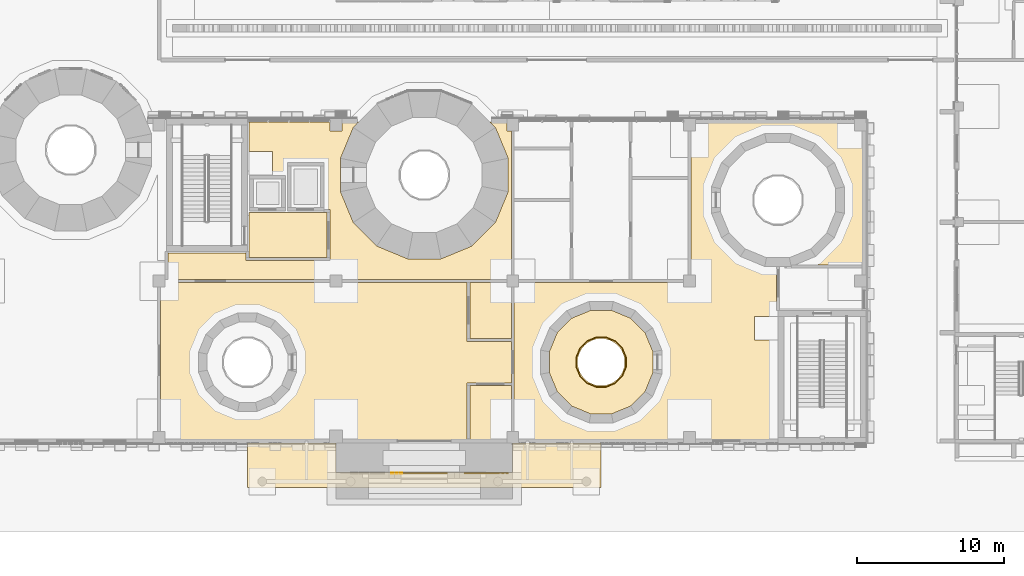
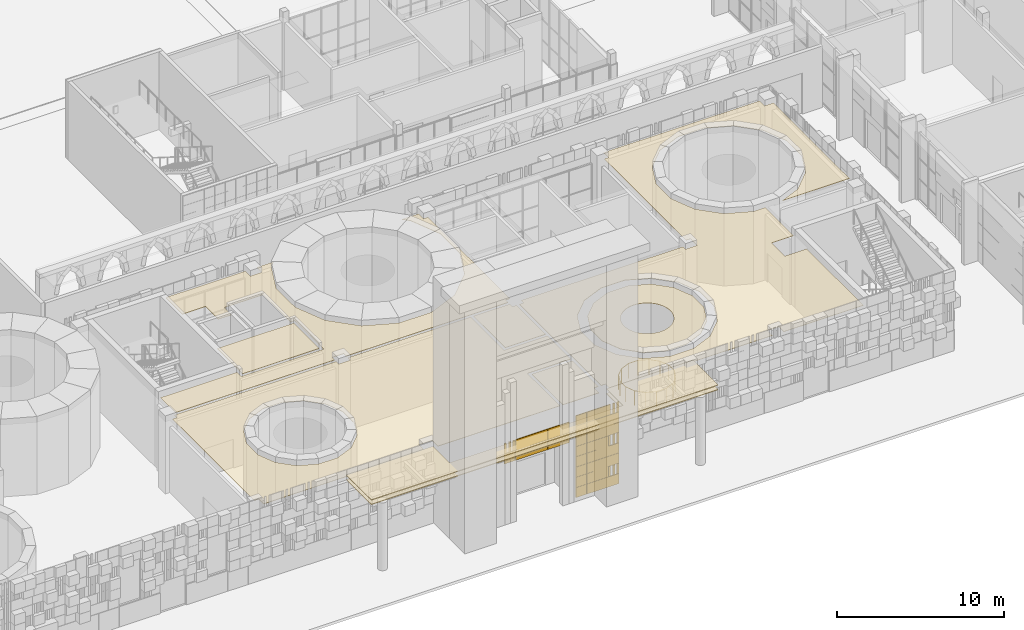
# One storey, part 81 of 125: 13 coverings, 1 railing.
"""IFC4 building model written with IfcOpenShell, lengths in metres."""

from ifc_helpers import new_model, si_unit, direction, frame, origin, origin_2d, place, context, subcontext, project, spatial, polyline, rectangle, circle, outline, extrude, material, layer, layer_set, type_object, element, save


model = new_model("IFC4")

# Units and contexts
model_context = context("Model", 3, precision=1e-05, world=origin(), true_north=direction((0.0, 1.0)))
body_context = subcontext(model_context, "Body", "Model", "MODEL_VIEW")
ifc_project = project(units=[si_unit("LENGTHUNIT", "METRE"), si_unit("AREAUNIT", "SQUARE_METRE"), si_unit("VOLUMEUNIT", "CUBIC_METRE"), si_unit("PLANEANGLEUNIT", "RADIAN"), si_unit("MASSUNIT", "GRAM", prefix="KILO")], contexts=[model_context])

# Site, building, storey
site_placement = place(None, origin())
site = spatial("IfcSite", under=ifc_project, at=site_placement, CompositionType="ELEMENT")
building_placement = place(site_placement, origin())
building = spatial("IfcBuilding", under=site, at=building_placement, Name="Sun Court Science Centre", CompositionType="ELEMENT")
storey_placement = place(building_placement, origin())
storey = spatial("IfcBuildingStorey", under=building, at=storey_placement, Name="L00", CompositionType="ELEMENT", Elevation=0.0)

# Coverings
ifc_material_1 = material(Name="Timber veneer", Category="wood")
ifc_layer_1 = layer(ifc_material_1, 0.050048828125)
ifc_layer_set_1 = layer_set([ifc_layer_1], Name="Timber veneer")
covering_type_1 = type_object("IfcCoveringType", Name="Canopy soffit lining 50", PredefinedType="CEILING", material=ifc_layer_set_1)
covering_1_placement = place(storey_placement, frame((0.0, 0.0, 5.199951171875)))
element("IfcCovering", 1, at=covering_1_placement, inside=storey, type_object=covering_type_1, Name="Entrance canopy soffit lining", PredefinedType="CEILING", context=body_context, shape_type="SweptSolid", body=[
    extrude(outline(polyline([(54.0, 6.0), (48.0, 6.0), (48.0, 4.0), (36.0, 4.0), (36.0, 6.0), (30.0, 6.0), (30.0, 3.0), (54.0, 3.0), (54.0, 6.0)])), origin(), (0.0, 0.0, 1.0), 0.050048828125),
])
ifc_material_2 = material(Name="Gypsum board")
ifc_layer_2 = layer(ifc_material_2, 0.030029296875)
ifc_layer_set_2 = layer_set([ifc_layer_2], Name="Gypsum board")
covering_type_2 = type_object("IfcCoveringType", Name="Ceiling suspended 600 module", PredefinedType="CEILING", material=ifc_layer_set_2)
covering_2_placement = place(storey_placement, frame((0.0, 0.0, 5.27001953125)))
element("IfcCovering", 2, at=covering_2_placement, inside=storey, type_object=covering_type_2, Name="L00-005 ceiling", PredefinedType="CEILING", context=body_context, shape_type="SweptSolid", body=[
    extrude(outline(polyline([(56.9833984375, 9.506591796875), (55.993408203125, 8.5166015625), (54.699951171875, 7.980712890625), (53.300048828125, 7.980712890625), (52.006591796875, 8.5166015625), (51.0166015625, 9.506591796875), (50.480712890625, 10.800048828125), (50.480712890625, 12.199951171875), (51.0166015625, 13.493408203125), (52.006591796875, 14.4833984375), (53.300048828125, 15.019287109375), (54.699951171875, 15.019287109375), (55.993408203125, 14.4833984375), (56.9833984375, 13.493408203125), (57.519287109375, 12.199951171875), (57.519287109375, 10.800048828125), (56.9833984375, 9.506591796875)]), holes=[polyline([(55.478271484375, 12.1123046875), (55.385498046875, 12.300048828125), (55.269287109375, 12.47412109375), (55.13134765625, 12.63134765625), (54.97412109375, 12.769287109375), (54.800048828125, 12.885498046875), (54.6123046875, 12.978271484375), (54.4140625, 13.04541015625), (54.208740234375, 13.086181640625), (54.0, 13.10009765625), (53.791259765625, 13.086181640625), (53.5859375, 13.04541015625), (53.3876953125, 12.978271484375), (53.199951171875, 12.885498046875), (53.02587890625, 12.769287109375), (52.86865234375, 12.63134765625), (52.730712890625, 12.47412109375), (52.614501953125, 12.300048828125), (52.521728515625, 12.1123046875), (52.45458984375, 11.9140625), (52.413818359375, 11.708740234375), (52.39990234375, 11.5), (52.413818359375, 11.291259765625), (52.45458984375, 11.0859375), (52.521728515625, 10.8876953125), (52.614501953125, 10.699951171875), (52.730712890625, 10.52587890625), (52.86865234375, 10.36865234375), (53.02587890625, 10.230712890625), (53.199951171875, 10.114501953125), (53.3876953125, 10.021728515625), (53.5859375, 9.95458984375), (53.791259765625, 9.913818359375), (54.0, 9.89990234375), (54.208740234375, 9.913818359375), (54.4140625, 9.95458984375), (54.6123046875, 10.021728515625), (54.800048828125, 10.114501953125), (54.97412109375, 10.230712890625), (55.13134765625, 10.36865234375), (55.269287109375, 10.52587890625), (55.385498046875, 10.699951171875), (55.478271484375, 10.8876953125), (55.54541015625, 11.0859375), (55.586181640625, 11.291259765625), (55.60009765625, 11.5), (55.586181640625, 11.708740234375), (55.54541015625, 11.9140625), (55.478271484375, 12.1123046875)])]), origin(), (0.0, 0.0, 1.0), 0.030029296875),
])
covering_3_placement = place(storey_placement, frame((0.0, 0.0, 5.27001953125)))
element("IfcCovering", 3, at=covering_3_placement, inside=storey, type_object=covering_type_2, Name="L00-015 ceiling", PredefinedType="CEILING", context=body_context, shape_type="SweptSolid", body=[
    extrude(outline(polyline([(45.10009765625, 6.199951171875), (45.10009765625, 9.89990234375), (47.89990234375, 9.89990234375), (47.89990234375, 6.800048828125), (47.60009765625, 6.800048828125), (47.60009765625, 6.199951171875), (45.10009765625, 6.199951171875)])), origin(), (0.0, 0.0, 1.0), 0.030029296875),
])
covering_4_placement = place(storey_placement, frame((0.0, 0.0, 5.27001953125)))
element("IfcCovering", 4, at=covering_4_placement, inside=storey, type_object=covering_type_2, Name="L00-016 ceiling", PredefinedType="CEILING", context=body_context, shape_type="SweptSolid", body=[
    extrude(outline(polyline([(45.10009765625, 13.10009765625), (45.10009765625, 16.89990234375), (47.60009765625, 16.89990234375), (47.60009765625, 16.60009765625), (47.89990234375, 16.60009765625), (47.89990234375, 13.10009765625), (45.10009765625, 13.10009765625)])), origin(), (0.0, 0.0, 1.0), 0.030029296875),
])
covering_5_placement = place(storey_placement, frame((0.0, 0.0, 5.27001953125)))
element("IfcCovering", 5, at=covering_5_placement, inside=storey, type_object=covering_type_2, Name="L00-017 ceiling", PredefinedType="CEILING", context=body_context, shape_type="SweptSolid", body=[
    extrude(outline(polyline([(24.10009765625, 16.60009765625), (24.39990234375, 16.60009765625), (24.39990234375, 16.89990234375), (35.60009765625, 16.89990234375), (35.60009765625, 16.60009765625), (36.39990234375, 16.60009765625), (36.39990234375, 16.89990234375), (44.89990234375, 16.89990234375), (44.89990234375, 12.89990234375), (47.89990234375, 12.89990234375), (47.89990234375, 10.10009765625), (44.89990234375, 10.10009765625), (44.89990234375, 6.199951171875), (36.449951171875, 6.199951171875), (36.449951171875, 6.89990234375), (35.550048828125, 6.89990234375), (35.550048828125, 6.199951171875), (24.39990234375, 6.199951171875), (24.39990234375, 6.800048828125), (24.10009765625, 6.800048828125), (24.10009765625, 16.60009765625)]), holes=[polyline([(31.888916015625, 14.326904296875), (30.663330078125, 14.834716796875), (29.336669921875, 14.834716796875), (28.111083984375, 14.326904296875), (27.173095703125, 13.388916015625), (26.665283203125, 12.163330078125), (26.665283203125, 10.836669921875), (27.173095703125, 9.611083984375), (28.111083984375, 8.673095703125), (29.336669921875, 8.165283203125), (30.663330078125, 8.165283203125), (31.888916015625, 8.673095703125), (32.826904296875, 9.611083984375), (33.334716796875, 10.836669921875), (33.334716796875, 12.163330078125), (32.826904296875, 13.388916015625), (31.888916015625, 14.326904296875)])]), origin(), (0.0, 0.0, 1.0), 0.030029296875),
])
covering_6_placement = place(storey_placement, frame((0.0, 0.0, 5.27001953125)))
element("IfcCovering", 6, at=covering_6_placement, inside=storey, type_object=covering_type_2, Name="L00-018 ceiling", PredefinedType="CEILING", context=body_context, shape_type="SweptSolid", body=[
    extrude(outline(polyline([(30.10009765625, 18.60009765625), (30.10009765625, 21.6474609375), (32.672607421875, 21.6474609375), (32.672607421875, 21.64990234375), (35.39990234375, 21.64990234375), (35.39990234375, 18.60009765625), (30.10009765625, 18.60009765625)])), origin(), (0.0, 0.0, 1.0), 0.030029296875),
])
covering_7_placement = place(storey_placement, frame((0.0, 0.0, 5.27001953125)))
element("IfcCovering", 7, at=covering_7_placement, inside=storey, type_object=covering_type_2, Name="L00-019 ceiling", PredefinedType="CEILING", context=body_context, shape_type="SweptSolid", body=[
    extrude(outline(polyline([(37.55517578125, 27.800048828125), (37.177490234375, 27.42236328125), (36.311279296875, 25.33154296875), (36.311279296875, 23.068603515625), (37.177490234375, 20.977783203125), (38.777587890625, 19.37744140625), (40.868408203125, 18.511474609375), (43.131591796875, 18.511474609375), (45.222412109375, 19.37744140625), (46.822509765625, 20.977783203125), (47.688720703125, 23.068603515625), (47.688720703125, 25.33154296875), (46.822509765625, 27.42236328125), (46.44482421875, 27.800048828125), (47.60009765625, 27.800048828125), (47.60009765625, 27.199951171875), (47.89990234375, 27.199951171875), (47.89990234375, 17.39990234375), (47.60009765625, 17.39990234375), (47.60009765625, 17.10009765625), (36.39990234375, 17.10009765625), (36.39990234375, 17.39990234375), (35.60009765625, 17.39990234375), (35.60009765625, 17.10009765625), (24.60009765625, 17.10009765625), (24.60009765625, 18.89990234375), (29.89990234375, 18.89990234375), (29.89990234375, 18.39990234375), (35.60009765625, 18.39990234375), (35.60009765625, 21.85009765625), (35.300048828125, 21.85009765625), (35.300048828125, 25.14990234375), (32.60009765625, 25.14990234375), (32.60009765625, 24.2724609375), (31.699951171875, 24.2724609375), (31.699951171875, 25.800048828125), (30.10009765625, 25.800048828125), (30.10009765625, 27.800048828125), (35.60009765625, 27.800048828125), (35.60009765625, 27.199951171875), (36.39990234375, 27.199951171875), (36.39990234375, 27.800048828125), (37.55517578125, 27.800048828125)])), origin(), (0.0, 0.0, 1.0), 0.030029296875),
])
covering_8_placement = place(storey_placement, frame((0.0, 0.0, 5.27001953125)))
element("IfcCovering", 8, at=covering_8_placement, inside=storey, type_object=covering_type_2, Name="L00-026 ceiling", PredefinedType="CEILING", context=body_context, shape_type="SweptSolid", body=[
    extrude(outline(polyline([(71.800048828125, 18.10009765625), (67.1669921875, 18.10009765625), (68.5556640625, 18.67529296875), (69.82470703125, 19.9443359375), (70.51171875, 21.6025390625), (70.51171875, 23.3974609375), (69.82470703125, 25.0556640625), (68.5556640625, 26.32470703125), (66.8974609375, 27.01171875), (65.1025390625, 27.01171875), (63.4443359375, 26.32470703125), (62.17529296875, 25.0556640625), (61.48828125, 23.3974609375), (61.48828125, 21.6025390625), (62.17529296875, 19.9443359375), (63.4443359375, 18.67529296875), (65.1025390625, 17.98828125), (65.89990234375, 17.98828125), (65.89990234375, 14.60009765625), (64.39990234375, 14.60009765625), (64.39990234375, 13.0), (65.89990234375, 13.0), (65.89990234375, 6.199951171875), (60.39990234375, 6.199951171875), (60.39990234375, 6.800048828125), (59.60009765625, 6.800048828125), (59.60009765625, 6.199951171875), (48.39990234375, 6.199951171875), (48.39990234375, 6.800048828125), (48.10009765625, 6.800048828125), (48.10009765625, 16.60009765625), (48.39990234375, 16.60009765625), (48.39990234375, 16.89990234375), (59.60009765625, 16.89990234375), (59.60009765625, 16.60009765625), (60.39990234375, 16.60009765625), (60.39990234375, 17.39990234375), (60.10009765625, 17.39990234375), (60.10009765625, 27.199951171875), (60.39990234375, 27.199951171875), (60.39990234375, 27.800048828125), (71.199951171875, 27.800048828125), (71.199951171875, 27.199951171875), (71.800048828125, 27.199951171875), (71.800048828125, 18.10009765625)]), holes=[polyline([(56.33349609375, 14.9921875), (54.8193359375, 15.619384765625), (53.1806640625, 15.619384765625), (51.66650390625, 14.9921875), (50.5078125, 13.83349609375), (49.880615234375, 12.3193359375), (49.880615234375, 10.6806640625), (50.5078125, 9.16650390625), (51.66650390625, 8.0078125), (53.1806640625, 7.380615234375), (54.8193359375, 7.380615234375), (56.33349609375, 8.0078125), (57.4921875, 9.16650390625), (58.119384765625, 10.6806640625), (58.119384765625, 12.3193359375), (57.4921875, 13.83349609375), (56.33349609375, 14.9921875)])]), origin(), (0.0, 0.0, 1.0), 0.030029296875),
])

# Railing
ifc_material_3 = material(Name="Steel S275", Category="steel")
railing_type = type_object("IfcRailingType", Name="Guard 1100 well balustrade", PredefinedType="GUARDRAIL", material=ifc_material_3)
railing_placement = place(storey_placement, frame((55.68701171875, 11.83544921875, 0.0)))
element("IfcRailing", 9, at=railing_placement, inside=storey, type_object=railing_type, Name="C5 well guard L00", PredefinedType="GUARDRAIL", context=body_context, shape_type="SweptSolid", body=[
    extrude(circle(Radius=0.02392578125, at=origin_2d()), frame((0.0, 0.0, 1.076171875), z_axis=(-0.382651625058, 0.923892706888, 0.0), x_axis=(-0.923892706888, -0.382651625058, 0.0)), (0.0, 0.0, 1.0), 0.671142578125),
    extrude(circle(Radius=0.02392578125, at=origin_2d()), frame((-0.2568359375, 0.6201171875, 1.076171875), z_axis=(-0.707106781187, 0.707106781187, 0.0), x_axis=(-0.707106781187, -0.707106781187, 0.0)), (0.0, 0.0, 1.0), 0.671142578125),
    extrude(circle(Radius=0.02392578125, at=origin_2d()), frame((-0.7314453125, 1.0947265625, 1.076171875), z_axis=(-0.923892706888, 0.382651625058, 0.0), x_axis=(-0.382651625058, -0.923892706888, 0.0)), (0.0, 0.0, 1.0), 0.671142578125),
    extrude(circle(Radius=0.02392578125, at=origin_2d()), frame((-1.3515625, 1.3515625, 1.076171875), z_axis=(-1.0, 0.0, 0.0), x_axis=(0.0, -1.0, 0.0)), (0.0, 0.0, 1.0), 0.6708984375),
    extrude(circle(Radius=0.02392578125, at=origin_2d()), frame((-2.0224609375, 1.3515625, 1.076171875), z_axis=(-0.923892706888, -0.382651625058, 0.0), x_axis=(0.382651625058, -0.923892706888, 0.0)), (0.0, 0.0, 1.0), 0.671142578125),
    extrude(circle(Radius=0.02392578125, at=origin_2d()), frame((-2.642578125, 1.0947265625, 1.076171875), z_axis=(-0.707106781187, -0.707106781187, 0.0), x_axis=(0.707106781187, -0.707106781187, 0.0)), (0.0, 0.0, 1.0), 0.671142578125),
    extrude(circle(Radius=0.02392578125, at=origin_2d()), frame((-3.1171875, 0.6201171875, 1.076171875), z_axis=(-0.382651625058, -0.923892706888, 0.0), x_axis=(0.923892706888, -0.382651625058, 0.0)), (0.0, 0.0, 1.0), 0.671142578125),
    extrude(circle(Radius=0.02392578125, at=origin_2d()), frame((-3.3740234375, 0.0, 1.076171875), z_axis=(0.0, -1.0, 0.0), x_axis=(1.0, 0.0, 0.0)), (0.0, 0.0, 1.0), 0.6708984375),
    extrude(circle(Radius=0.02392578125, at=origin_2d()), frame((-3.3740234375, -0.6708984375, 1.076171875), z_axis=(0.382651625058, -0.923892706888, 0.0), x_axis=(0.923892706888, 0.382651625058, 0.0)), (0.0, 0.0, 1.0), 0.671142578125),
    extrude(circle(Radius=0.02392578125, at=origin_2d()), frame((-3.1171875, -1.291015625, 1.076171875), z_axis=(0.707106781187, -0.707106781187, 0.0), x_axis=(0.707106781187, 0.707106781187, 0.0)), (0.0, 0.0, 1.0), 0.671142578125),
    extrude(circle(Radius=0.02392578125, at=origin_2d()), frame((-2.642578125, -1.765625, 1.076171875), z_axis=(0.923892706888, -0.382651625058, 0.0), x_axis=(0.382651625058, 0.923892706888, 0.0)), (0.0, 0.0, 1.0), 0.671142578125),
    extrude(circle(Radius=0.02392578125, at=origin_2d()), frame((-2.0224609375, -2.0224609375, 1.076171875), z_axis=(1.0, 0.0, 0.0), x_axis=(0.0, 1.0, 0.0)), (0.0, 0.0, 1.0), 0.6708984375),
    extrude(circle(Radius=0.02392578125, at=origin_2d()), frame((-1.3515625, -2.0224609375, 1.076171875), z_axis=(0.923892706888, 0.382651625058, 0.0), x_axis=(-0.382651625058, 0.923892706888, 0.0)), (0.0, 0.0, 1.0), 0.671142578125),
    extrude(circle(Radius=0.02392578125, at=origin_2d()), frame((-0.7314453125, -1.765625, 1.076171875), z_axis=(0.707106781187, 0.707106781187, 0.0), x_axis=(-0.707106781187, 0.707106781187, 0.0)), (0.0, 0.0, 1.0), 0.671142578125),
    extrude(circle(Radius=0.02392578125, at=origin_2d()), frame((-0.2568359375, -1.291015625, 1.076171875), z_axis=(0.382651625058, 0.923892706888, 0.0), x_axis=(-0.923892706888, 0.382651625058, 0.0)), (0.0, 0.0, 1.0), 0.671142578125),
    extrude(circle(Radius=0.02392578125, at=origin_2d()), frame((0.0, -0.6708984375, 1.076171875), z_axis=(0.0, 1.0, 0.0), x_axis=(-1.0, 0.0, 0.0)), (0.0, 0.0, 1.0), 0.6708984375),
    extrude(circle(Radius=0.02099609375, at=origin_2d()), origin(), (0.0, 0.0, 1.0), 1.052001953125),
    extrude(circle(Radius=0.02099609375, at=origin_2d()), frame((-0.2568359375, 0.6201171875, 0.0)), (0.0, 0.0, 1.0), 1.052001953125),
    extrude(circle(Radius=0.02099609375, at=origin_2d()), frame((-0.7314453125, 1.0947265625, 0.0)), (0.0, 0.0, 1.0), 1.052001953125),
    extrude(circle(Radius=0.02099609375, at=origin_2d()), frame((-1.3515625, 1.3515625, 0.0)), (0.0, 0.0, 1.0), 1.052001953125),
    extrude(circle(Radius=0.02099609375, at=origin_2d()), frame((-2.0224609375, 1.3515625, 0.0)), (0.0, 0.0, 1.0), 1.052001953125),
    extrude(circle(Radius=0.02099609375, at=origin_2d()), frame((-2.642578125, 1.0947265625, 0.0)), (0.0, 0.0, 1.0), 1.052001953125),
    extrude(circle(Radius=0.02099609375, at=origin_2d()), frame((-3.1171875, 0.6201171875, 0.0)), (0.0, 0.0, 1.0), 1.052001953125),
    extrude(circle(Radius=0.02099609375, at=origin_2d()), frame((-3.3740234375, 0.0, 0.0)), (0.0, 0.0, 1.0), 1.052001953125),
    extrude(circle(Radius=0.02099609375, at=origin_2d()), frame((-3.3740234375, -0.6708984375, 0.0)), (0.0, 0.0, 1.0), 1.052001953125),
    extrude(circle(Radius=0.02099609375, at=origin_2d()), frame((-3.1171875, -1.291015625, 0.0)), (0.0, 0.0, 1.0), 1.052001953125),
    extrude(circle(Radius=0.02099609375, at=origin_2d()), frame((-2.642578125, -1.765625, 0.0)), (0.0, 0.0, 1.0), 1.052001953125),
    extrude(circle(Radius=0.02099609375, at=origin_2d()), frame((-2.0224609375, -2.0224609375, 0.0)), (0.0, 0.0, 1.0), 1.052001953125),
    extrude(circle(Radius=0.02099609375, at=origin_2d()), frame((-1.3515625, -2.0224609375, 0.0)), (0.0, 0.0, 1.0), 1.052001953125),
    extrude(circle(Radius=0.02099609375, at=origin_2d()), frame((-0.7314453125, -1.765625, 0.0)), (0.0, 0.0, 1.0), 1.052001953125),
    extrude(circle(Radius=0.02099609375, at=origin_2d()), frame((-0.2568359375, -1.291015625, 0.0)), (0.0, 0.0, 1.0), 1.052001953125),
    extrude(circle(Radius=0.02099609375, at=origin_2d()), frame((0.0, -0.6708984375, 0.0)), (0.0, 0.0, 1.0), 1.052001953125),
])

# Coverings
ifc_material_4 = material(Name="Red sandstone", Category="masonry")
ifc_layer_3 = layer(ifc_material_4, 0.06005859375)
ifc_layer_set_3 = layer_set([ifc_layer_3], Name="Red sandstone")
covering_type_3 = type_object("IfcCoveringType", Name="Red sandstone jali relief 750", PredefinedType="CLADDING", material=ifc_layer_set_3)
covering_9_placement = place(storey_placement, origin())
element("IfcCovering", 10, at=covering_9_placement, inside=storey, type_object=covering_type_3, Name="Red sandstone jali relief portal-PORTAL-R L00", PredefinedType="CLADDING", context=body_context, shape_type="SweptSolid", body=[
    extrude(rectangle(XDim=0.139892578125, YDim=0.06005859375, at=origin_2d()), frame((47.625, 3.969970703125, 0.7548828125), z_axis=(0.0, 0.0, 1.0), x_axis=(-1.0, 0.0, 0.0)), (0.0, 0.0, 1.0), 0.739990234375),
    extrude(rectangle(XDim=0.139892578125, YDim=0.06005859375, at=origin_2d()), frame((47.324951171875, 3.969970703125, 0.7548828125), z_axis=(0.0, 0.0, 1.0), x_axis=(-1.0, 0.0, 0.0)), (0.0, 0.0, 1.0), 0.739990234375),
    extrude(rectangle(XDim=0.139892578125, YDim=0.06005859375, at=origin_2d()), frame((47.02490234375, 3.969970703125, 0.7548828125), z_axis=(0.0, 0.0, 1.0), x_axis=(-1.0, 0.0, 0.0)), (0.0, 0.0, 1.0), 0.739990234375),
    extrude(rectangle(XDim=0.139892578125, YDim=0.06005859375, at=origin_2d()), frame((47.625, 3.969970703125, 3.0048828125), z_axis=(0.0, 0.0, 1.0), x_axis=(-1.0, 0.0, 0.0)), (0.0, 0.0, 1.0), 0.739990234375),
    extrude(rectangle(XDim=0.139892578125, YDim=0.06005859375, at=origin_2d()), frame((47.324951171875, 3.969970703125, 3.0048828125), z_axis=(0.0, 0.0, 1.0), x_axis=(-1.0, 0.0, 0.0)), (0.0, 0.0, 1.0), 0.739990234375),
    extrude(rectangle(XDim=0.139892578125, YDim=0.06005859375, at=origin_2d()), frame((47.02490234375, 3.969970703125, 3.0048828125), z_axis=(0.0, 0.0, 1.0), x_axis=(-1.0, 0.0, 0.0)), (0.0, 0.0, 1.0), 0.739990234375),
    extrude(rectangle(XDim=0.139892578125, YDim=0.06005859375, at=origin_2d()), frame((47.625, 3.969970703125, 5.2548828125), z_axis=(0.0, 0.0, 1.0), x_axis=(-1.0, 0.0, 0.0)), (0.0, 0.0, 1.0), 0.739990234375),
    extrude(rectangle(XDim=0.139892578125, YDim=0.06005859375, at=origin_2d()), frame((47.324951171875, 3.969970703125, 5.2548828125), z_axis=(0.0, 0.0, 1.0), x_axis=(-1.0, 0.0, 0.0)), (0.0, 0.0, 1.0), 0.739990234375),
    extrude(rectangle(XDim=0.139892578125, YDim=0.06005859375, at=origin_2d()), frame((47.02490234375, 3.969970703125, 5.2548828125), z_axis=(0.0, 0.0, 1.0), x_axis=(-1.0, 0.0, 0.0)), (0.0, 0.0, 1.0), 0.739990234375),
    extrude(rectangle(XDim=0.739990234375, YDim=0.06005859375, at=origin_2d()), frame((46.574951171875, 3.969970703125, 5.2548828125), z_axis=(0.0, 0.0, 1.0), x_axis=(-1.0, 0.0, 0.0)), (0.0, 0.0, 1.0), 0.739990234375),
    extrude(rectangle(XDim=0.739990234375, YDim=0.06005859375, at=origin_2d()), frame((45.824951171875, 3.969970703125, 5.2548828125), z_axis=(0.0, 0.0, 1.0), x_axis=(-1.0, 0.0, 0.0)), (0.0, 0.0, 1.0), 0.739990234375),
    extrude(rectangle(XDim=0.739990234375, YDim=0.06005859375, at=origin_2d()), frame((45.074951171875, 3.969970703125, 5.2548828125), z_axis=(0.0, 0.0, 1.0), x_axis=(-1.0, 0.0, 0.0)), (0.0, 0.0, 1.0), 0.739990234375),
])
covering_10_placement = place(storey_placement, origin())
element("IfcCovering", 11, at=covering_10_placement, inside=storey, type_object=covering_type_3, Name="Red sandstone jali relief portal-PORTAL-H L00", PredefinedType="CLADDING", context=body_context, shape_type="SweptSolid", body=[
    extrude(rectangle(XDim=0.139892578125, YDim=0.06005859375, at=origin_2d()), frame((40.425048828125, 3.969970703125, 4.955078125), z_axis=(0.0, 0.0, 1.0), x_axis=(-1.0, 0.0, 0.0)), (0.0, 0.0, 1.0), 0.739990234375),
    extrude(rectangle(XDim=0.139892578125, YDim=0.06005859375, at=origin_2d()), frame((40.125, 3.969970703125, 4.955078125), z_axis=(0.0, 0.0, 1.0), x_axis=(-1.0, 0.0, 0.0)), (0.0, 0.0, 1.0), 0.739990234375),
    extrude(rectangle(XDim=0.139892578125, YDim=0.06005859375, at=origin_2d()), frame((39.824951171875, 3.969970703125, 4.955078125), z_axis=(0.0, 0.0, 1.0), x_axis=(-1.0, 0.0, 0.0)), (0.0, 0.0, 1.0), 0.739990234375),
])
ifc_material_5 = material(Name="Red sandstone", Category="masonry")
ifc_layer_4 = layer(ifc_material_5, 0.06005859375)
ifc_layer_set_4 = layer_set([ifc_layer_4], Name="Red sandstone")
covering_type_4 = type_object("IfcCoveringType", Name="Red sandstone wall cladding 750", PredefinedType="CLADDING", material=ifc_layer_set_4)
covering_11_placement = place(storey_placement, origin())
element("IfcCovering", 12, at=covering_11_placement, inside=storey, type_object=covering_type_4, Name="Red sandstone wall cladding portal-PORTAL-R L00", PredefinedType="CLADDING", context=body_context, shape_type="SweptSolid", body=[
    extrude(rectangle(XDim=0.739990234375, YDim=0.06005859375, at=origin_2d()), frame((47.324951171875, 3.969970703125, 0.0048828125), z_axis=(0.0, 0.0, 1.0), x_axis=(-1.0, 0.0, 0.0)), (0.0, 0.0, 1.0), 0.739990234375),
    extrude(rectangle(XDim=0.739990234375, YDim=0.06005859375, at=origin_2d()), frame((46.574951171875, 3.969970703125, 0.0048828125), z_axis=(0.0, 0.0, 1.0), x_axis=(-1.0, 0.0, 0.0)), (0.0, 0.0, 1.0), 0.739990234375),
    extrude(rectangle(XDim=0.739990234375, YDim=0.06005859375, at=origin_2d()), frame((45.824951171875, 3.969970703125, 0.0048828125), z_axis=(0.0, 0.0, 1.0), x_axis=(-1.0, 0.0, 0.0)), (0.0, 0.0, 1.0), 0.739990234375),
    extrude(rectangle(XDim=0.739990234375, YDim=0.06005859375, at=origin_2d()), frame((45.074951171875, 3.969970703125, 0.0048828125), z_axis=(0.0, 0.0, 1.0), x_axis=(-1.0, 0.0, 0.0)), (0.0, 0.0, 1.0), 0.739990234375),
    extrude(rectangle(XDim=0.739990234375, YDim=0.06005859375, at=origin_2d()), frame((46.574951171875, 3.969970703125, 0.7548828125), z_axis=(0.0, 0.0, 1.0), x_axis=(-1.0, 0.0, 0.0)), (0.0, 0.0, 1.0), 0.739990234375),
    extrude(rectangle(XDim=0.739990234375, YDim=0.06005859375, at=origin_2d()), frame((45.824951171875, 3.969970703125, 0.7548828125), z_axis=(0.0, 0.0, 1.0), x_axis=(-1.0, 0.0, 0.0)), (0.0, 0.0, 1.0), 0.739990234375),
    extrude(rectangle(XDim=0.739990234375, YDim=0.06005859375, at=origin_2d()), frame((45.074951171875, 3.969970703125, 0.7548828125), z_axis=(0.0, 0.0, 1.0), x_axis=(-1.0, 0.0, 0.0)), (0.0, 0.0, 1.0), 0.739990234375),
    extrude(rectangle(XDim=0.739990234375, YDim=0.06005859375, at=origin_2d()), frame((47.324951171875, 3.969970703125, 1.5048828125), z_axis=(0.0, 0.0, 1.0), x_axis=(-1.0, 0.0, 0.0)), (0.0, 0.0, 1.0), 0.739990234375),
    extrude(rectangle(XDim=0.739990234375, YDim=0.06005859375, at=origin_2d()), frame((46.574951171875, 3.969970703125, 1.5048828125), z_axis=(0.0, 0.0, 1.0), x_axis=(-1.0, 0.0, 0.0)), (0.0, 0.0, 1.0), 0.739990234375),
    extrude(rectangle(XDim=0.739990234375, YDim=0.06005859375, at=origin_2d()), frame((45.824951171875, 3.969970703125, 1.5048828125), z_axis=(0.0, 0.0, 1.0), x_axis=(-1.0, 0.0, 0.0)), (0.0, 0.0, 1.0), 0.739990234375),
    extrude(rectangle(XDim=0.739990234375, YDim=0.06005859375, at=origin_2d()), frame((45.074951171875, 3.969970703125, 1.5048828125), z_axis=(0.0, 0.0, 1.0), x_axis=(-1.0, 0.0, 0.0)), (0.0, 0.0, 1.0), 0.739990234375),
    extrude(rectangle(XDim=0.739990234375, YDim=0.06005859375, at=origin_2d()), frame((47.324951171875, 3.969970703125, 2.2548828125), z_axis=(0.0, 0.0, 1.0), x_axis=(-1.0, 0.0, 0.0)), (0.0, 0.0, 1.0), 0.739990234375),
    extrude(rectangle(XDim=0.739990234375, YDim=0.06005859375, at=origin_2d()), frame((46.574951171875, 3.969970703125, 2.2548828125), z_axis=(0.0, 0.0, 1.0), x_axis=(-1.0, 0.0, 0.0)), (0.0, 0.0, 1.0), 0.739990234375),
    extrude(rectangle(XDim=0.739990234375, YDim=0.06005859375, at=origin_2d()), frame((45.824951171875, 3.969970703125, 2.2548828125), z_axis=(0.0, 0.0, 1.0), x_axis=(-1.0, 0.0, 0.0)), (0.0, 0.0, 1.0), 0.739990234375),
    extrude(rectangle(XDim=0.739990234375, YDim=0.06005859375, at=origin_2d()), frame((45.074951171875, 3.969970703125, 2.2548828125), z_axis=(0.0, 0.0, 1.0), x_axis=(-1.0, 0.0, 0.0)), (0.0, 0.0, 1.0), 0.739990234375),
    extrude(rectangle(XDim=0.739990234375, YDim=0.06005859375, at=origin_2d()), frame((46.574951171875, 3.969970703125, 3.0048828125), z_axis=(0.0, 0.0, 1.0), x_axis=(-1.0, 0.0, 0.0)), (0.0, 0.0, 1.0), 0.739990234375),
    extrude(rectangle(XDim=0.739990234375, YDim=0.06005859375, at=origin_2d()), frame((45.824951171875, 3.969970703125, 3.0048828125), z_axis=(0.0, 0.0, 1.0), x_axis=(-1.0, 0.0, 0.0)), (0.0, 0.0, 1.0), 0.739990234375),
    extrude(rectangle(XDim=0.739990234375, YDim=0.06005859375, at=origin_2d()), frame((45.074951171875, 3.969970703125, 3.0048828125), z_axis=(0.0, 0.0, 1.0), x_axis=(-1.0, 0.0, 0.0)), (0.0, 0.0, 1.0), 0.739990234375),
    extrude(rectangle(XDim=0.739990234375, YDim=0.06005859375, at=origin_2d()), frame((47.324951171875, 3.969970703125, 3.7548828125), z_axis=(0.0, 0.0, 1.0), x_axis=(-1.0, 0.0, 0.0)), (0.0, 0.0, 1.0), 0.739990234375),
    extrude(rectangle(XDim=0.739990234375, YDim=0.06005859375, at=origin_2d()), frame((46.574951171875, 3.969970703125, 3.7548828125), z_axis=(0.0, 0.0, 1.0), x_axis=(-1.0, 0.0, 0.0)), (0.0, 0.0, 1.0), 0.739990234375),
    extrude(rectangle(XDim=0.739990234375, YDim=0.06005859375, at=origin_2d()), frame((45.824951171875, 3.969970703125, 3.7548828125), z_axis=(0.0, 0.0, 1.0), x_axis=(-1.0, 0.0, 0.0)), (0.0, 0.0, 1.0), 0.739990234375),
    extrude(rectangle(XDim=0.739990234375, YDim=0.06005859375, at=origin_2d()), frame((45.074951171875, 3.969970703125, 3.7548828125), z_axis=(0.0, 0.0, 1.0), x_axis=(-1.0, 0.0, 0.0)), (0.0, 0.0, 1.0), 0.739990234375),
    extrude(rectangle(XDim=0.739990234375, YDim=0.06005859375, at=origin_2d()), frame((47.324951171875, 3.969970703125, 4.5048828125), z_axis=(0.0, 0.0, 1.0), x_axis=(-1.0, 0.0, 0.0)), (0.0, 0.0, 1.0), 0.739990234375),
    extrude(rectangle(XDim=0.739990234375, YDim=0.06005859375, at=origin_2d()), frame((46.574951171875, 3.969970703125, 4.5048828125), z_axis=(0.0, 0.0, 1.0), x_axis=(-1.0, 0.0, 0.0)), (0.0, 0.0, 1.0), 0.739990234375),
    extrude(rectangle(XDim=0.739990234375, YDim=0.06005859375, at=origin_2d()), frame((45.824951171875, 3.969970703125, 4.5048828125), z_axis=(0.0, 0.0, 1.0), x_axis=(-1.0, 0.0, 0.0)), (0.0, 0.0, 1.0), 0.739990234375),
    extrude(rectangle(XDim=0.739990234375, YDim=0.06005859375, at=origin_2d()), frame((45.074951171875, 3.969970703125, 4.5048828125), z_axis=(0.0, 0.0, 1.0), x_axis=(-1.0, 0.0, 0.0)), (0.0, 0.0, 1.0), 0.739990234375),
])
covering_12_placement = place(storey_placement, origin())
element("IfcCovering", 13, at=covering_12_placement, inside=storey, type_object=covering_type_4, Name="Red sandstone wall cladding portal-PORTAL-H L00", PredefinedType="CLADDING", context=body_context, shape_type="SweptSolid", body=[
    extrude(rectangle(XDim=0.739990234375, YDim=0.06005859375, at=origin_2d()), frame((43.875, 3.969970703125, 4.205078125), z_axis=(0.0, 0.0, 1.0), x_axis=(-1.0, 0.0, 0.0)), (0.0, 0.0, 1.0), 0.739990234375),
    extrude(rectangle(XDim=0.739990234375, YDim=0.06005859375, at=origin_2d()), frame((43.125, 3.969970703125, 4.205078125), z_axis=(0.0, 0.0, 1.0), x_axis=(-1.0, 0.0, 0.0)), (0.0, 0.0, 1.0), 0.739990234375),
    extrude(rectangle(XDim=0.739990234375, YDim=0.06005859375, at=origin_2d()), frame((42.375, 3.969970703125, 4.205078125), z_axis=(0.0, 0.0, 1.0), x_axis=(-1.0, 0.0, 0.0)), (0.0, 0.0, 1.0), 0.739990234375),
    extrude(rectangle(XDim=0.739990234375, YDim=0.06005859375, at=origin_2d()), frame((41.625, 3.969970703125, 4.205078125), z_axis=(0.0, 0.0, 1.0), x_axis=(-1.0, 0.0, 0.0)), (0.0, 0.0, 1.0), 0.739990234375),
    extrude(rectangle(XDim=0.739990234375, YDim=0.06005859375, at=origin_2d()), frame((40.875, 3.969970703125, 4.205078125), z_axis=(0.0, 0.0, 1.0), x_axis=(-1.0, 0.0, 0.0)), (0.0, 0.0, 1.0), 0.739990234375),
    extrude(rectangle(XDim=0.739990234375, YDim=0.06005859375, at=origin_2d()), frame((40.125, 3.969970703125, 4.205078125), z_axis=(0.0, 0.0, 1.0), x_axis=(-1.0, 0.0, 0.0)), (0.0, 0.0, 1.0), 0.739990234375),
    extrude(rectangle(XDim=0.739990234375, YDim=0.06005859375, at=origin_2d()), frame((43.875, 3.969970703125, 4.955078125), z_axis=(0.0, 0.0, 1.0), x_axis=(-1.0, 0.0, 0.0)), (0.0, 0.0, 1.0), 0.739990234375),
    extrude(rectangle(XDim=0.739990234375, YDim=0.06005859375, at=origin_2d()), frame((43.125, 3.969970703125, 4.955078125), z_axis=(0.0, 0.0, 1.0), x_axis=(-1.0, 0.0, 0.0)), (0.0, 0.0, 1.0), 0.739990234375),
    extrude(rectangle(XDim=0.739990234375, YDim=0.06005859375, at=origin_2d()), frame((42.375, 3.969970703125, 4.955078125), z_axis=(0.0, 0.0, 1.0), x_axis=(-1.0, 0.0, 0.0)), (0.0, 0.0, 1.0), 0.739990234375),
    extrude(rectangle(XDim=0.739990234375, YDim=0.06005859375, at=origin_2d()), frame((41.625, 3.969970703125, 4.955078125), z_axis=(0.0, 0.0, 1.0), x_axis=(-1.0, 0.0, 0.0)), (0.0, 0.0, 1.0), 0.739990234375),
    extrude(rectangle(XDim=0.739990234375, YDim=0.06005859375, at=origin_2d()), frame((40.875, 3.969970703125, 4.955078125), z_axis=(0.0, 0.0, 1.0), x_axis=(-1.0, 0.0, 0.0)), (0.0, 0.0, 1.0), 0.739990234375),
])
ifc_material_6 = material(Name="Zinc roofing")
ifc_layer_5 = layer(ifc_material_6, 0.030029296875)
ifc_layer_set_5 = layer_set([ifc_layer_5], Name="Zinc roofing")
covering_type_5 = type_object("IfcCoveringType", Name="Standing seam roofing 30", PredefinedType="ROOFING", material=ifc_layer_set_5)
covering_13_placement = place(storey_placement, frame((0.0, 0.0, 5.550048828125)))
element("IfcCovering", 14, at=covering_13_placement, inside=storey, type_object=covering_type_5, Name="Entrance canopy roofing", PredefinedType="ROOFING", context=body_context, shape_type="SweptSolid", body=[
    extrude(outline(polyline([(54.0, 6.0), (48.0, 6.0), (48.0, 4.0), (36.0, 4.0), (36.0, 6.0), (30.0, 6.0), (30.0, 3.0), (54.0, 3.0), (54.0, 6.0)])), origin(), (0.0, 0.0, 1.0), 0.030029296875),
])

save(model, "model.ifc")
